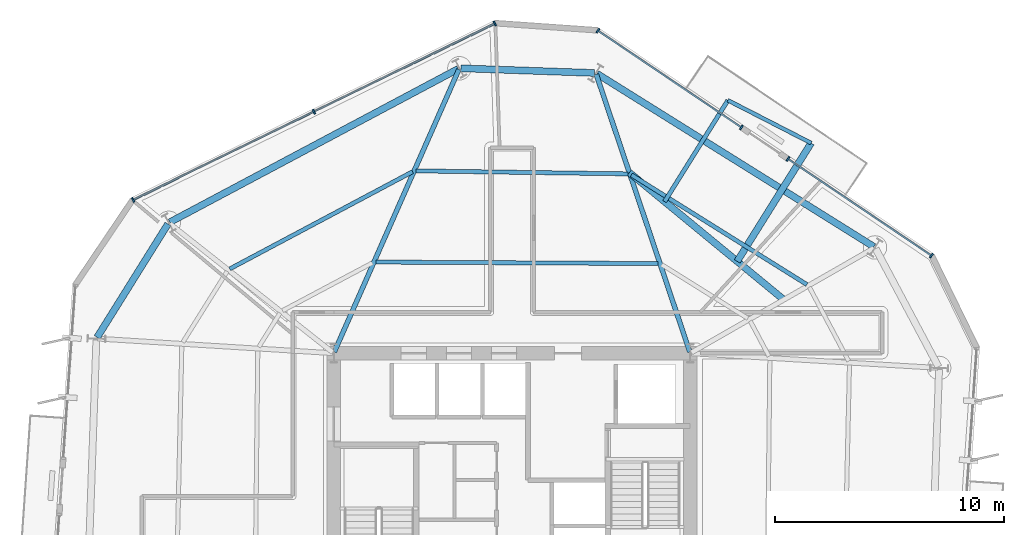
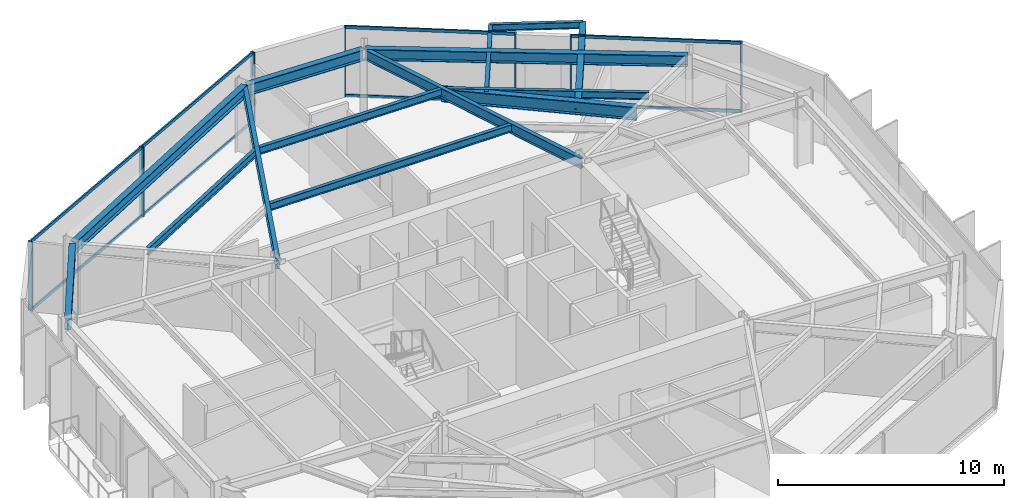
# One storey, part 5 of 14: 15 members, 14 beams, 3 elements without a shape of their own.
"""IFC4 building model written with IfcOpenShell, lengths in metres."""

import ifcopenshell
import ifcopenshell.guid

model = None  # the IFC model being written
_history = None  # IfcOwnerHistory: only IFC2X3 demands one
_inside = {}  # id of a spatial element -> (the spatial element, [elements in it])
_under = {}  # id of a project, library or spatial element -> (it, [spatial elements below it])
_declared = {}  # id of a project -> (the project, [libraries it declares])
_typed = {}  # id of a type object -> (the type object, [elements of that type])
_made_of = {}  # id of a material, layer set ... -> (it, [elements and type objects made of it])


def new_model(schema):
    """Start an empty IFC model of exactly this schema.

    Asked for "IFC4X3", IfcOpenShell would pick the latest addendum, in which some entities
    have other attributes; the version numbers below select the first issue.
    IFC2X3 requires an IfcOwnerHistory on every rooted entity: one is made here for all.
    """
    global model, _history
    if schema == "IFC4X3":
        model = ifcopenshell.file(schema_version=(4, 3, 0, 0))
    else:
        model = ifcopenshell.file(schema=schema)
    _inside.clear()
    _under.clear()
    _declared.clear()
    _typed.clear()
    _made_of.clear()
    _history = None
    if model.schema == "IFC2X3":
        org = make("IfcOrganization", Name="unknown")
        user = make(
            "IfcPersonAndOrganization",
            ThePerson=make("IfcPerson", FamilyName="unknown"),
            TheOrganization=org,
        )
        app = make(
            "IfcApplication",
            ApplicationDeveloper=org,
            Version="unknown",
            ApplicationFullName="unknown",
            ApplicationIdentifier="unknown",
        )
        _history = make(
            "IfcOwnerHistory",
            OwningUser=user,
            OwningApplication=app,
            ChangeAction="ADDED",
            CreationDate=0,
        )
    return model


def make(cls, **values):
    """One entity of the class cls with the attributes given. An attribute that is None is left unset."""
    return model.create_entity(
        cls, **{name: value for name, value in values.items() if value is not None}
    )


def rooted(cls, **values):
    """An entity with a GlobalId (a new one), such as an element, a storey or a relation."""
    return make(cls, GlobalId=ifcopenshell.guid.new(), OwnerHistory=_history, **values)


def si_unit(unit_type, name, prefix=None):
    """IfcSIUnit, for example si_unit("LENGTHUNIT", "METRE", prefix="MILLI")."""
    return make("IfcSIUnit", UnitType=unit_type, Prefix=prefix, Name=name)


def assignment(units):
    """IfcUnitAssignment: the units of a project."""
    return None if units is None else make("IfcUnitAssignment", Units=units)


def point(xyz):
    """IfcCartesianPoint."""
    return None if xyz is None else make("IfcCartesianPoint", Coordinates=xyz)


def direction(xyz):
    """IfcDirection."""
    return None if xyz is None else make("IfcDirection", DirectionRatios=xyz)


def frame(location, z_axis=None, x_axis=None):
    """IfcAxis2Placement3D, a coordinate frame: its origin and axes. An axis left out is left unset."""
    return make(
        "IfcAxis2Placement3D",
        Location=point(location),
        Axis=direction(z_axis),
        RefDirection=direction(x_axis),
    )


def frame_2d(location, x_axis=None):
    """IfcAxis2Placement2D, a coordinate frame in the plane: its origin and x axis."""
    return make(
        "IfcAxis2Placement2D", Location=point(location), RefDirection=direction(x_axis)
    )


def origin():
    """The frame at (0, 0, 0) with its axes left unset."""
    return frame((0.0, 0.0, 0.0))


def origin_2d():
    """The frame at (0, 0) in the plane with its x axis left unset."""
    return frame_2d((0.0, 0.0))


def place(relative_to, where):
    """IfcLocalPlacement: puts the frame where relative to a parent placement (None: the world)."""
    return make(
        "IfcLocalPlacement", PlacementRelTo=relative_to, RelativePlacement=where
    )


def context(
    kind, dimensions, precision=None, world=None, true_north=None, identifier=None
):
    """IfcGeometricRepresentationContext, for example the 3D "Model" context."""
    return make(
        "IfcGeometricRepresentationContext",
        ContextIdentifier=identifier,
        ContextType=kind,
        CoordinateSpaceDimension=dimensions,
        Precision=precision,
        WorldCoordinateSystem=world,
        TrueNorth=true_north,
    )


def subcontext(parent, identifier, kind, view, scale=None):
    """IfcGeometricRepresentationSubContext, for example "Body" below "Model"."""
    return make(
        "IfcGeometricRepresentationSubContext",
        ContextIdentifier=identifier,
        ContextType=kind,
        ParentContext=parent,
        TargetScale=scale,
        TargetView=view,
    )


def project(units=None, contexts=None):
    """IfcProject with its units and contexts."""
    return rooted(
        "IfcProject",
        Name="project",
        RepresentationContexts=contexts,
        UnitsInContext=assignment(units),
    )


def spatial(cls, under=None, at=None, **own):
    """A site, building, storey or space (cls), placed at a placement, below another one or the project."""
    s = rooted(cls, ObjectPlacement=at, **own)
    if under is not None:
        _under.setdefault(under.id(), (under, []))[1].append(s)
    return s


def profile(cls, at=None, kind="AREA", **sizes):
    """A parametric profile (cls). Its sizes go by their IFC names, for example OverallWidth=200.0."""
    return make(cls, ProfileType=kind, Position=at, **sizes)


def rectangle(**sizes):
    """IfcRectangleProfileDef."""
    return profile("IfcRectangleProfileDef", **sizes)


def i_section(**sizes):
    """IfcIShapeProfileDef."""
    return profile("IfcIShapeProfileDef", **sizes)


def extrude(swept, where, along, depth):
    """IfcExtrudedAreaSolid: the profile swept, set in the frame where, extruded along a direction by depth."""
    return make(
        "IfcExtrudedAreaSolid",
        SweptArea=swept,
        Position=where,
        ExtrudedDirection=direction(along),
        Depth=depth,
    )


def shape(context_of_items, identifier, shape_type, items):
    """IfcShapeRepresentation: the items that make up one representation, for example the "Body"."""
    return make(
        "IfcShapeRepresentation",
        ContextOfItems=context_of_items,
        RepresentationIdentifier=identifier,
        RepresentationType=shape_type,
        Items=items,
    )


def material(Name=None, Category=None):
    """IfcMaterial."""
    return make("IfcMaterial", Name=Name, Category=Category)


def layer(
    of_material, thickness, ventilated=None, Name=None, Category=None, Priority=None
):
    """IfcMaterialLayer: one layer of a wall or slab, of a material (None: an air gap)."""
    return make(
        "IfcMaterialLayer",
        Material=of_material,
        LayerThickness=thickness,
        IsVentilated=ventilated,
        Name=Name,
        Category=Category,
        Priority=Priority,
    )


def layer_set(layers, Name=None):
    """IfcMaterialLayerSet."""
    return make("IfcMaterialLayerSet", MaterialLayers=layers, LayerSetName=Name)


def material_profile(
    of_material, cross_section, Name=None, Category=None, Priority=None
):
    """IfcMaterialProfile: a cross section and its material."""
    return make(
        "IfcMaterialProfile",
        Name=Name,
        Material=of_material,
        Profile=cross_section,
        Priority=Priority,
        Category=Category,
    )


def profile_set(profiles, Name=None, composite=None):
    """IfcMaterialProfileSet."""
    return make(
        "IfcMaterialProfileSet",
        Name=Name,
        MaterialProfiles=profiles,
        CompositeProfile=composite,
    )


def made_of(thing, what):
    """Note that an element or type object is made of a material, layer set ...; save() writes the relation."""
    if what is not None:
        _made_of.setdefault(what.id(), (what, []))[1].append(thing)
    return thing


def type_object(cls, material=None, **own):
    """A type object (cls), such as IfcWallType, which elements share."""
    return made_of(rooted(cls, **own), material)


def element(
    cls,
    number,
    at=None,
    inside=None,
    cuts=None,
    type_object=None,
    material=None,
    context=None,
    identifier="Body",
    shape_type=None,
    held_by="IfcProductDefinitionShape",
    body=None,
    shapes=None,
    **own,
):
    """One element of the class cls, such as IfcWall. Its Tag is "e" and its number.

    at: its placement. inside: the storey or other place that contains it. cuts: it is an
    opening in that element (IfcRelVoidsElement). A single representation is given by context,
    identifier, shape_type and body (its items); several are given by shapes. held_by: the class
    of the entity that holds the representations. save() writes the other relations.
    """
    e = rooted(cls, Tag="e%d" % number, ObjectPlacement=at, **own)
    if body is not None:
        shapes = [shape(context, identifier, shape_type, body)]
    if shapes is not None:
        e.Representation = make(held_by, Representations=shapes)
    if inside is not None:
        _inside.setdefault(inside.id(), (inside, []))[1].append(e)
    if cuts is not None:
        rooted(
            "IfcRelVoidsElement", RelatingBuildingElement=cuts, RelatedOpeningElement=e
        )
    if type_object is not None:
        _typed.setdefault(type_object.id(), (type_object, []))[1].append(e)
    return made_of(e, material)


def aggregate(whole, parts):
    """IfcRelAggregates: a whole, such as a stair, and the parts it consists of."""
    return rooted("IfcRelAggregates", RelatingObject=whole, RelatedObjects=parts)


def save(model, path):
    """Write the relations noted so far, then the file.

    IfcRelAggregates (storeys below a building ...), IfcRelContainedInSpatialStructure (elements
    in a storey), IfcRelDefinesByType, IfcRelAssociatesMaterial and IfcRelDeclares: one each for
    every whole, place, type object, material and project.
    """
    for whole, parts in _under.values():
        aggregate(whole, parts)
    for where, things in _inside.values():
        rooted(
            "IfcRelContainedInSpatialStructure",
            RelatedElements=things,
            RelatingStructure=where,
        )
    for kind, things in _typed.values():
        rooted("IfcRelDefinesByType", RelatedObjects=things, RelatingType=kind)
    for what, things in _made_of.values():
        rooted("IfcRelAssociatesMaterial", RelatedObjects=things, RelatingMaterial=what)
    for by, libraries in _declared.values():
        rooted("IfcRelDeclares", RelatingContext=by, RelatedDefinitions=libraries)
    model.write(path)


model = new_model("IFC4")

# Units and contexts
model_context = context("Model", 3, precision=1e-05, world=origin(), true_north=direction((0.0, 1.0)))
body_context = subcontext(model_context, "Body", "Model", "MODEL_VIEW")
ifc_project = project(units=[si_unit("LENGTHUNIT", "METRE"), si_unit("AREAUNIT", "SQUARE_METRE"), si_unit("VOLUMEUNIT", "CUBIC_METRE"), si_unit("PLANEANGLEUNIT", "RADIAN"), si_unit("MASSUNIT", "GRAM", prefix="KILO")], contexts=[model_context])

# Site, building, storey
site_placement = place(None, origin())
site = spatial("IfcSite", under=ifc_project, at=site_placement, CompositionType="ELEMENT")
building_placement = place(site_placement, origin())
building = spatial("IfcBuilding", under=site, at=building_placement, Name="Kranzbogen Civic Tower", CompositionType="ELEMENT")
storey_placement = place(building_placement, frame((0.0, 0.0, 126.39990234375)))
storey = spatial("IfcBuildingStorey", under=building, at=storey_placement, Name="L30", CompositionType="ELEMENT", Elevation=126.39990234375)

# Beam
ifc_material_1 = material(Name="Steel S355", Category="steel")
ifc_material_profile_1 = material_profile(ifc_material_1, i_section(OverallWidth=0.18994140625, OverallDepth=0.449951171875, WebThickness=0.009521484375, FlangeThickness=0.0146484375, at=origin_2d()), Name="IPE 450")
ifc_profile_set_1 = profile_set([ifc_material_profile_1], Name="Steel S355")
beam_type_1 = type_object("IfcBeamType", Name="Braced Terrace Edge Beam IPE 450", PredefinedType="BEAM", material=ifc_profile_set_1)
beam_1_placement = place(storey_placement, frame((31.677978515625, 38.8369140625, 3.525146484375), z_axis=(0.529990542375, 0.848003552465, 0.0), x_axis=(-0.848003552465, 0.529990542375, 0.0)))
element("IfcBeam", 1, at=beam_1_placement, inside=storey, type_object=beam_type_1, Name="L31 back-spanned terrace beam L31-TB2-2", PredefinedType="BEAM", context=body_context, shape_type="SweptSolid", body=[
    extrude(i_section(OverallWidth=0.18994140625, OverallDepth=0.449951171875, WebThickness=0.009521484375, FlangeThickness=0.0146484375, at=origin_2d()), origin(), (0.0, 0.0, 1.0), 5.2265625),
])

# Curtain wall, members
ifc_material_2 = material(Name="Pale Anodised Aluminium", Category="aluminium")
ifc_layer = layer(ifc_material_2, 0.219970703125, Name="Pale Anodised Aluminium")
ifc_layer_set = layer_set([ifc_layer], Name="Pale Anodised Aluminium")
curtain_wall_type = type_object("IfcCurtainWallType", Name="Zone 2 Stick Curtain Wall System CW-03", PredefinedType="USERDEFINED", material=ifc_layer_set)
curtain_wall_1_placement = place(storey_placement, origin())
curtain_wall_1 = element("IfcCurtainWall", 2, at=curtain_wall_1_placement, inside=storey, type_object=curtain_wall_type, Name="L30 curtain wall CW-L30-F1-S1", ObjectType="STICK CURTAIN WALL", PredefinedType="USERDEFINED")
ifc_material_profile_2 = material_profile(ifc_material_2, rectangle(XDim=0.074951171875, YDim=0.219970703125, at=origin_2d()), Name="ALU-M 75x220")
ifc_profile_set_2 = profile_set([ifc_material_profile_2], Name="Pale Anodised Aluminium")
member_type_1 = type_object("IfcMemberType", Name="Curtain Wall Mullion ALU-M 75x220", PredefinedType="MULLION", material=ifc_profile_set_2)
member_1_placement = place(storey_placement, frame((43.355224609375, 36.46875, 0.0), z_axis=(0.0, 0.0, 1.0), x_axis=(-0.829035410899, 0.559196108244, 0.0)))
member_1 = element("IfcMember", 3, at=member_1_placement, type_object=member_type_1, Name="CW-03 mullion 1", PredefinedType="MULLION", context=body_context, shape_type="SweptSolid", body=[
    extrude(rectangle(XDim=0.074951171875, YDim=0.219970703125, at=origin_2d()), origin(), (0.0, 0.0, 1.0), 3.760009765625),
])
member_2_placement = place(storey_placement, frame((37.075927734375, 40.704345703125, 0.0), z_axis=(0.0, 0.0, 1.0), x_axis=(-0.829035410899, 0.559196108244, 0.0)))
member_2 = element("IfcMember", 4, at=member_2_placement, type_object=member_type_1, Name="CW-03 mullion 2", PredefinedType="MULLION", context=body_context, shape_type="SweptSolid", body=[
    extrude(rectangle(XDim=0.074951171875, YDim=0.219970703125, at=origin_2d()), origin(), (0.0, 0.0, 1.0), 3.760009765625),
])

curtain_wall_2_placement = place(storey_placement, origin())
curtain_wall_2 = element("IfcCurtainWall", 5, at=curtain_wall_2_placement, inside=storey, type_object=curtain_wall_type, Name="L30 curtain wall CW-L30-F1-S2", ObjectType="STICK CURTAIN WALL", PredefinedType="USERDEFINED")
member_3_placement = place(storey_placement, frame((35.037109375, 42.079833984375, 0.0), z_axis=(0.0, 0.0, 1.0), x_axis=(-0.829035410899, 0.559196108244, 0.0)))
member_3 = element("IfcMember", 6, at=member_3_placement, type_object=member_type_1, Name="CW-03 mullion 1", PredefinedType="MULLION", context=body_context, shape_type="SweptSolid", body=[
    extrude(rectangle(XDim=0.074951171875, YDim=0.219970703125, at=origin_2d()), origin(), (0.0, 0.0, 1.0), 3.760009765625),
])
member_4_placement = place(storey_placement, frame((28.7578125, 46.315185546875, 0.0), z_axis=(0.0, 0.0, 1.0), x_axis=(-0.829035410899, 0.559196108244, 0.0)))
member_4 = element("IfcMember", 7, at=member_4_placement, type_object=member_type_1, Name="CW-03 mullion 2", PredefinedType="MULLION", context=body_context, shape_type="SweptSolid", body=[
    extrude(rectangle(XDim=0.074951171875, YDim=0.219970703125, at=origin_2d()), origin(), (0.0, 0.0, 1.0), 3.760009765625),
])

curtain_wall_3_placement = place(storey_placement, origin())
curtain_wall_3 = element("IfcCurtainWall", 8, at=curtain_wall_3_placement, inside=storey, type_object=curtain_wall_type, Name="L30 curtain wall CW-L30-F2", ObjectType="STICK CURTAIN WALL", PredefinedType="USERDEFINED")
member_5_placement = place(storey_placement, frame((24.24609375, 46.630859375, 0.0), z_axis=(0.0, 0.0, 1.0), x_axis=(-0.8987869382, -0.438385720252, 0.0)))
member_5 = element("IfcMember", 9, at=member_5_placement, type_object=member_type_1, Name="CW-03 mullion 1", PredefinedType="MULLION", context=body_context, shape_type="SweptSolid", body=[
    extrude(rectangle(XDim=0.074951171875, YDim=0.219970703125, at=origin_2d()), origin(), (0.0, 0.0, 1.0), 3.760009765625),
])
member_6_placement = place(storey_placement, frame((16.33251953125, 42.77099609375, 0.0), z_axis=(0.0, 0.0, 1.0), x_axis=(-0.8987869382, -0.438385720252, 0.0)))
member_6 = element("IfcMember", 10, at=member_6_placement, type_object=member_type_1, Name="CW-03 mullion 2", PredefinedType="MULLION", context=body_context, shape_type="SweptSolid", body=[
    extrude(rectangle(XDim=0.074951171875, YDim=0.219970703125, at=origin_2d()), origin(), (0.0, 0.0, 1.0), 3.760009765625),
])
member_7_placement = place(storey_placement, frame((8.4189453125, 38.9111328125, 0.0), z_axis=(0.0, 0.0, 1.0), x_axis=(-0.8987869382, -0.438385720252, 0.0)))
member_7 = element("IfcMember", 11, at=member_7_placement, type_object=member_type_1, Name="CW-03 mullion 3", PredefinedType="MULLION", context=body_context, shape_type="SweptSolid", body=[
    extrude(rectangle(XDim=0.074951171875, YDim=0.219970703125, at=origin_2d()), origin(), (0.0, 0.0, 1.0), 3.760009765625),
])

# Member
ifc_material_profile_3 = material_profile(ifc_material_2, rectangle(XDim=0.074951171875, YDim=0.1650390625, at=origin_2d()), Name="ALU-T 75x165")
ifc_profile_set_3 = profile_set([ifc_material_profile_3], Name="Pale Anodised Aluminium")
member_type_2 = type_object("IfcMemberType", Name="Curtain Wall Transom ALU-T 75x165", PredefinedType="USERDEFINED", material=ifc_profile_set_3)
member_8_placement = place(storey_placement, frame((43.330322265625, 36.485595703125, 0.030029296875), z_axis=(-0.829033947243, 0.559198278179, 0.0), x_axis=(-0.559198278179, -0.829033947243, 0.0)))
member_8 = element("IfcMember", 12, at=member_8_placement, type_object=member_type_2, Name="CW-03 transom 1.1", ObjectType="TRANSOM", PredefinedType="USERDEFINED", context=body_context, shape_type="SweptSolid", body=[
    extrude(rectangle(XDim=0.074951171875, YDim=0.1650390625, at=origin_2d()), origin(), (0.0, 0.0, 1.0), 7.51416015625),
])

member_9_placement = place(storey_placement, frame((43.330322265625, 36.485595703125, 3.72998046875), z_axis=(-0.829033947243, 0.559198278179, 0.0), x_axis=(-0.559198278179, -0.829033947243, 0.0)))
member_9 = element("IfcMember", 13, at=member_9_placement, type_object=member_type_2, Name="CW-03 transom 1.2", ObjectType="TRANSOM", PredefinedType="USERDEFINED", context=body_context, shape_type="SweptSolid", body=[
    extrude(rectangle(XDim=0.074951171875, YDim=0.1650390625, at=origin_2d()), origin(), (0.0, 0.0, 1.0), 7.51416015625),
])

aggregate(curtain_wall_1, [member_1, member_2, member_8, member_9])

member_10_placement = place(storey_placement, frame((35.01220703125, 42.096435546875, 0.030029296875), z_axis=(-0.829033947243, 0.559198278179, 0.0), x_axis=(-0.559198278179, -0.829033947243, 0.0)))
member_10 = element("IfcMember", 14, at=member_10_placement, type_object=member_type_2, Name="CW-03 transom 1.1", ObjectType="TRANSOM", PredefinedType="USERDEFINED", context=body_context, shape_type="SweptSolid", body=[
    extrude(rectangle(XDim=0.074951171875, YDim=0.1650390625, at=origin_2d()), origin(), (0.0, 0.0, 1.0), 7.51416015625),
])

member_11_placement = place(storey_placement, frame((35.01220703125, 42.096435546875, 3.72998046875), z_axis=(-0.829033947243, 0.559198278179, 0.0), x_axis=(-0.559198278179, -0.829033947243, 0.0)))
member_11 = element("IfcMember", 15, at=member_11_placement, type_object=member_type_2, Name="CW-03 transom 1.2", ObjectType="TRANSOM", PredefinedType="USERDEFINED", context=body_context, shape_type="SweptSolid", body=[
    extrude(rectangle(XDim=0.074951171875, YDim=0.1650390625, at=origin_2d()), origin(), (0.0, 0.0, 1.0), 7.51416015625),
])

aggregate(curtain_wall_2, [member_3, member_4, member_10, member_11])

member_12_placement = place(storey_placement, frame((24.218994140625, 46.61767578125, 0.030029296875), z_axis=(-0.898789373645, -0.438380727021, 0.0), x_axis=(0.438380727021, -0.898789373645, 0.0)))
member_12 = element("IfcMember", 16, at=member_12_placement, type_object=member_type_2, Name="CW-03 transom 1.1", ObjectType="TRANSOM", PredefinedType="USERDEFINED", context=body_context, shape_type="SweptSolid", body=[
    extrude(rectangle(XDim=0.074951171875, YDim=0.1650390625, at=origin_2d()), origin(), (0.0, 0.0, 1.0), 8.74462890625),
])

member_13_placement = place(storey_placement, frame((24.218994140625, 46.61767578125, 3.72998046875), z_axis=(-0.898789373645, -0.438380727021, 0.0), x_axis=(0.438380727021, -0.898789373645, 0.0)))
member_13 = element("IfcMember", 17, at=member_13_placement, type_object=member_type_2, Name="CW-03 transom 1.2", ObjectType="TRANSOM", PredefinedType="USERDEFINED", context=body_context, shape_type="SweptSolid", body=[
    extrude(rectangle(XDim=0.074951171875, YDim=0.1650390625, at=origin_2d()), origin(), (0.0, 0.0, 1.0), 8.74462890625),
])

member_14_placement = place(storey_placement, frame((16.305419921875, 42.7578125, 0.030029296875), z_axis=(-0.898784008077, -0.438391727597, 0.0), x_axis=(0.438391727597, -0.898784008077, 0.0)))
member_14 = element("IfcMember", 18, at=member_14_placement, type_object=member_type_2, Name="CW-03 transom 2.1", ObjectType="TRANSOM", PredefinedType="USERDEFINED", context=body_context, shape_type="SweptSolid", body=[
    extrude(rectangle(XDim=0.074951171875, YDim=0.1650390625, at=origin_2d()), origin(), (0.0, 0.0, 1.0), 8.744384765625),
])

member_15_placement = place(storey_placement, frame((16.305419921875, 42.7578125, 3.72998046875), z_axis=(-0.898784008077, -0.438391727597, 0.0), x_axis=(0.438391727597, -0.898784008077, 0.0)))
member_15 = element("IfcMember", 19, at=member_15_placement, type_object=member_type_2, Name="CW-03 transom 2.2", ObjectType="TRANSOM", PredefinedType="USERDEFINED", context=body_context, shape_type="SweptSolid", body=[
    extrude(rectangle(XDim=0.074951171875, YDim=0.1650390625, at=origin_2d()), origin(), (0.0, 0.0, 1.0), 8.744384765625),
])

aggregate(curtain_wall_3, [member_5, member_6, member_7, member_12, member_13, member_14, member_15])

# Beams
ifc_material_profile_4 = material_profile(ifc_material_1, i_section(OverallWidth=0.300048828125, OverallDepth=0.5, WebThickness=0.014404296875, FlangeThickness=0.028076171875, at=origin_2d()), Name="HEB 500")
ifc_profile_set_4 = profile_set([ifc_material_profile_4], Name="Steel S355")
beam_type_2 = type_object("IfcBeamType", Name="Perimeter Tube Spandrel Beam HEB 500", PredefinedType="SPANDREL", material=ifc_profile_set_4)
beam_2_placement = place(storey_placement, frame((34.85498046875, 36.221923828125, 3.5), z_axis=(0.529937826814, 0.848036496686, 0.0), x_axis=(-0.848036496686, 0.529937826814, 0.0)))
element("IfcBeam", 20, at=beam_2_placement, inside=storey, type_object=beam_type_2, Name="L31 back-spanned terrace beam L31-TB2-1", PredefinedType="SPANDREL", context=body_context, shape_type="SweptSolid", body=[
    extrude(i_section(OverallWidth=0.300048828125, OverallDepth=0.5, WebThickness=0.014404296875, FlangeThickness=0.028076171875, at=origin_2d()), origin(), (0.0, 0.0, 1.0), 6.104736328125),
])
ifc_material_profile_5 = material_profile(ifc_material_1, i_section(OverallWidth=0.300048828125, OverallDepth=0.60009765625, WebThickness=0.015380859375, FlangeThickness=0.030029296875, at=origin_2d()), Name="HEB 600")
ifc_profile_set_5 = profile_set([ifc_material_profile_5], Name="Steel S355")
beam_type_3 = type_object("IfcBeamType", Name="Perimeter Tube Spandrel Beam HEB 600", PredefinedType="SPANDREL", material=ifc_profile_set_5)
beam_3_placement = place(storey_placement, frame((40.8349609375, 36.861083984375, 3.460205078125), z_axis=(-0.848051101349, 0.52991445489, 0.0), x_axis=(-0.52991445489, -0.848051101349, 0.0)))
element("IfcBeam", 21, at=beam_3_placement, inside=storey, type_object=beam_type_3, Name="L30 perimeter spandrel beam 08", PredefinedType="SPANDREL", context=body_context, shape_type="SweptSolid", body=[
    extrude(i_section(OverallWidth=0.300048828125, OverallDepth=0.60009765625, WebThickness=0.015380859375, FlangeThickness=0.030029296875, at=origin_2d()), origin(), (0.0, 0.0, 1.0), 14.286865234375),
])
beam_4_placement = place(storey_placement, frame((28.60791015625, 44.466064453125, 3.460205078125), z_axis=(-0.999393148233, 0.03483296234, 0.0), x_axis=(-0.03483296234, -0.999393148233, 0.0)))
element("IfcBeam", 22, at=beam_4_placement, inside=storey, type_object=beam_type_3, Name="L30 perimeter spandrel beam 09", PredefinedType="SPANDREL", context=body_context, shape_type="SweptSolid", body=[
    extrude(i_section(OverallWidth=0.300048828125, OverallDepth=0.60009765625, WebThickness=0.015380859375, FlangeThickness=0.030029296875, at=origin_2d()), origin(), (0.0, 0.0, 1.0), 5.8525390625),
])
beam_5_placement = place(storey_placement, frame((22.64599609375, 44.64404296875, 3.460205078125), z_axis=(-0.882948194046, -0.469470432116, 0.0), x_axis=(0.469470432116, -0.882948194046, 0.0)))
element("IfcBeam", 23, at=beam_5_placement, inside=storey, type_object=beam_type_3, Name="L30 perimeter spandrel beam 10", PredefinedType="SPANDREL", context=body_context, shape_type="SweptSolid", body=[
    extrude(i_section(OverallWidth=0.300048828125, OverallDepth=0.60009765625, WebThickness=0.015380859375, FlangeThickness=0.030029296875, at=origin_2d()), origin(), (0.0, 0.0, 1.0), 14.28857421875),
])
beam_6_placement = place(storey_placement, frame((9.945068359375, 37.85693359375, 3.460205078125), z_axis=(-0.529863902903, -0.848082687242, 0.0), x_axis=(0.848082687242, -0.529863902903, 0.0)))
element("IfcBeam", 24, at=beam_6_placement, inside=storey, type_object=beam_type_3, Name="L30 perimeter spandrel beam 11", PredefinedType="SPANDREL", context=body_context, shape_type="SweptSolid", body=[
    extrude(i_section(OverallWidth=0.300048828125, OverallDepth=0.60009765625, WebThickness=0.015380859375, FlangeThickness=0.030029296875, at=origin_2d()), origin(), (0.0, 0.0, 1.0), 5.850830078125),
])
ifc_material_profile_6 = material_profile(ifc_material_1, i_section(OverallWidth=0.300048828125, OverallDepth=0.699951171875, WebThickness=0.01708984375, FlangeThickness=0.031982421875, at=origin_2d()), Name="HEB 700")
ifc_profile_set_6 = profile_set([ifc_material_profile_6], Name="Steel S355")
beam_type_4 = type_object("IfcBeamType", Name="Perimeter Tube Spandrel Beam HEB 700", PredefinedType="SPANDREL", material=ifc_profile_set_6)
beam_7_placement = place(storey_placement, frame((36.89404296875, 34.5439453125, 3.400146484375), z_axis=(-0.772133132713, 0.635460797663, 0.0), x_axis=(-0.635460797663, -0.772133132713, 0.0)))
element("IfcBeam", 25, at=beam_7_placement, inside=storey, type_object=beam_type_4, Name="L31 balcony back-span header girder L31-TB2", PredefinedType="SPANDREL", context=body_context, shape_type="SweptSolid", body=[
    extrude(i_section(OverallWidth=0.300048828125, OverallDepth=0.699951171875, WebThickness=0.01708984375, FlangeThickness=0.031982421875, at=origin_2d()), origin(), (0.0, 0.0, 1.0), 8.751220703125),
])
ifc_material_profile_7 = material_profile(ifc_material_1, i_section(OverallWidth=0.2099609375, OverallDepth=0.550048828125, WebThickness=0.010986328125, FlangeThickness=0.01708984375, at=origin_2d()), Name="IPE 550")
ifc_profile_set_7 = profile_set([ifc_material_profile_7], Name="Steel S355")
beam_type_5 = type_object("IfcBeamType", Name="Radial Tower Floor Girder IPE 550", PredefinedType="BEAM", material=ifc_profile_set_7)
beam_8_placement = place(storey_placement, frame((28.68701171875, 44.406982421875, 3.485107421875), z_axis=(0.319316617377, -0.947648087566, 0.0), x_axis=(0.947648087566, 0.319316617377, 0.0)))
element("IfcBeam", 26, at=beam_8_placement, inside=storey, type_object=beam_type_5, Name="L30 radial floor girder 09", PredefinedType="BEAM", context=body_context, shape_type="SweptSolid", body=[
    extrude(i_section(OverallWidth=0.2099609375, OverallDepth=0.550048828125, WebThickness=0.010986328125, FlangeThickness=0.01708984375, at=origin_2d()), origin(), (0.0, 0.0, 1.0), 12.821044921875),
])
beam_9_placement = place(storey_placement, frame((22.675048828125, 44.616943359375, 3.485107421875), z_axis=(-0.403459127705, -0.914997667905, 0.0), x_axis=(0.914997667905, -0.403459127705, 0.0)))
element("IfcBeam", 27, at=beam_9_placement, inside=storey, type_object=beam_type_5, Name="L30 radial floor girder 10", PredefinedType="BEAM", context=body_context, shape_type="SweptSolid", body=[
    extrude(i_section(OverallWidth=0.2099609375, OverallDepth=0.550048828125, WebThickness=0.010986328125, FlangeThickness=0.01708984375, at=origin_2d()), origin(), (0.0, 0.0, 1.0), 13.510498046875),
])
ifc_material_profile_8 = material_profile(ifc_material_1, i_section(OverallWidth=0.169921875, OverallDepth=0.360107421875, WebThickness=0.008056640625, FlangeThickness=0.0126953125, at=origin_2d()), Name="IPE 360")
ifc_profile_set_8 = profile_set([ifc_material_profile_8], Name="Steel S355")
beam_type_6 = type_object("IfcBeamType", Name="Secondary Composite Floor Joist IPE 360", PredefinedType="JOIST", material=ifc_profile_set_8)
beam_10_placement = place(storey_placement, frame((38.090087890625, 41.39892578125, 3.570068359375), z_axis=(-0.889581425754, 0.456776626979, 0.0), x_axis=(-0.456776626979, -0.889581425754, 0.0)))
element("IfcBeam", 28, at=beam_10_placement, inside=storey, type_object=beam_type_6, Name="L31 terrace outer edge trimmer L31-TB2", PredefinedType="JOIST", context=body_context, shape_type="SweptSolid", body=[
    extrude(i_section(OverallWidth=0.169921875, OverallDepth=0.360107421875, WebThickness=0.008056640625, FlangeThickness=0.0126953125, at=origin_2d()), origin(), (0.0, 0.0, 1.0), 4.09423828125),
])
ifc_material_profile_9 = material_profile(ifc_material_1, i_section(OverallWidth=0.179931640625, OverallDepth=0.39990234375, WebThickness=0.008544921875, FlangeThickness=0.013427734375, at=origin_2d()), Name="IPE 400")
ifc_profile_set_9 = profile_set([ifc_material_profile_9], Name="Steel S355")
beam_type_7 = type_object("IfcBeamType", Name="Secondary Composite Floor Joist IPE 400", PredefinedType="JOIST", material=ifc_profile_set_9)
beam_11_placement = place(storey_placement, frame((37.906982421875, 35.205078125, 3.56005859375), z_axis=(-0.848025549308, 0.529955345026, 0.0), x_axis=(-0.529955345026, -0.848025549308, 0.0)))
element("IfcBeam", 29, at=beam_11_placement, inside=storey, type_object=beam_type_7, Name="L30 secondary floor joist 1.08", PredefinedType="JOIST", context=body_context, shape_type="SweptSolid", body=[
    extrude(i_section(OverallWidth=0.179931640625, OverallDepth=0.39990234375, WebThickness=0.008544921875, FlangeThickness=0.013427734375, at=origin_2d()), origin(), (0.0, 0.0, 1.0), 9.06103515625),
])
beam_12_placement = place(storey_placement, frame((30.075927734375, 40.050048828125, 3.56005859375), z_axis=(-0.999900525148, 0.014104602386, 0.0), x_axis=(-0.014104602386, -0.999900525148, 0.0)))
element("IfcBeam", 30, at=beam_12_placement, inside=storey, type_object=beam_type_7, Name="L30 secondary floor joist 1.09", PredefinedType="JOIST", context=body_context, shape_type="SweptSolid", body=[
    extrude(i_section(OverallWidth=0.179931640625, OverallDepth=0.39990234375, WebThickness=0.008544921875, FlangeThickness=0.013427734375, at=origin_2d()), origin(), (0.0, 0.0, 1.0), 9.27783203125),
])
beam_13_placement = place(storey_placement, frame((31.39794921875, 36.125, 3.56005859375), z_axis=(-0.999985774147, 0.005333995002, 0.0), x_axis=(-0.005333995002, -0.999985774147, 0.0)))
element("IfcBeam", 31, at=beam_13_placement, inside=storey, type_object=beam_type_7, Name="L30 secondary floor joist 2.09", PredefinedType="JOIST", context=body_context, shape_type="SweptSolid", body=[
    extrude(i_section(OverallWidth=0.179931640625, OverallDepth=0.39990234375, WebThickness=0.008544921875, FlangeThickness=0.013427734375, at=origin_2d()), origin(), (0.0, 0.0, 1.0), 12.358154296875),
])
beam_14_placement = place(storey_placement, frame((20.64892578125, 40.14501953125, 3.56005859375), z_axis=(-0.882960787661, -0.469446746131, 0.0), x_axis=(0.469446746131, -0.882960787661, 0.0)))
element("IfcBeam", 32, at=beam_14_placement, inside=storey, type_object=beam_type_7, Name="L30 secondary floor joist 1.10", PredefinedType="JOIST", context=body_context, shape_type="SweptSolid", body=[
    extrude(i_section(OverallWidth=0.179931640625, OverallDepth=0.39990234375, WebThickness=0.008544921875, FlangeThickness=0.013427734375, at=origin_2d()), origin(), (0.0, 0.0, 1.0), 9.0615234375),
])

save(model, "model.ifc")
